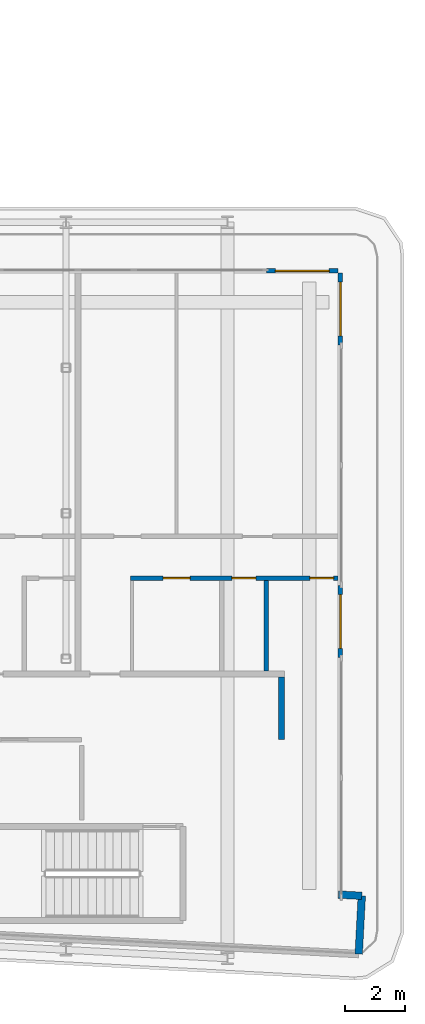
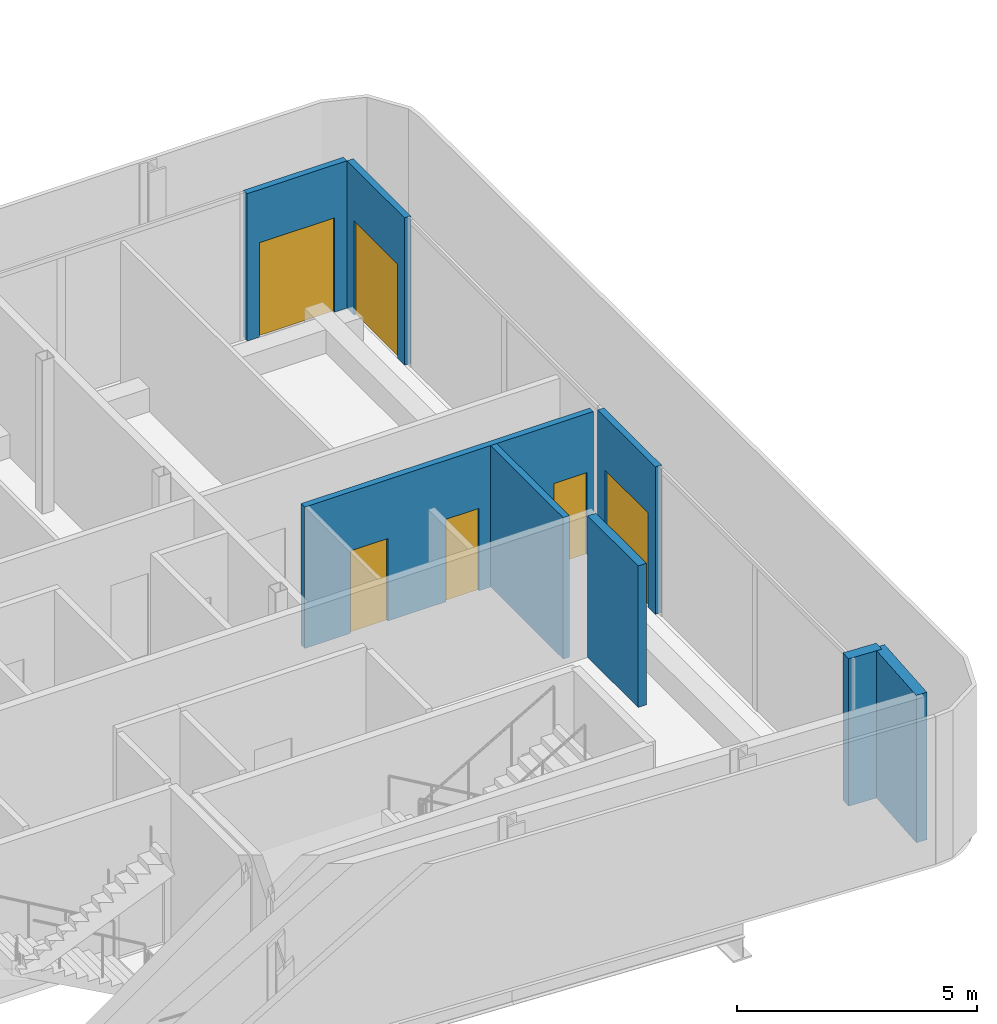
# One storey, part 20 of 29: 8 walls, 6 doors, 6 openings.
"""IFC4 building model written with IfcOpenShell, lengths in metres."""

from ifc_helpers import new_model, si_unit, direction, frame, frame_2d, origin, place, context, subcontext, project, spatial, rectangle, extrude, source, transform, mapped, material, layer, layer_set, type_object, element, fill, save


model = new_model("IFC4")

# Units and contexts
model_context = context("Model", 3, precision=1e-05, world=origin(), true_north=direction((0.0, 1.0)))
body_context = subcontext(model_context, "Body", "Model", "MODEL_VIEW")
ifc_project = project(units=[si_unit("LENGTHUNIT", "METRE"), si_unit("AREAUNIT", "SQUARE_METRE"), si_unit("VOLUMEUNIT", "CUBIC_METRE"), si_unit("PLANEANGLEUNIT", "RADIAN"), si_unit("MASSUNIT", "GRAM", prefix="KILO")], contexts=[model_context])

# Site, building, storey
site_placement = place(None, origin())
site = spatial("IfcSite", under=ifc_project, at=site_placement, CompositionType="ELEMENT")
building_placement = place(site_placement, origin())
building = spatial("IfcBuilding", under=site, at=building_placement, Name="Kheshtan School and Residences Tower", CompositionType="ELEMENT")
storey_placement = place(building_placement, frame((0.0, 0.0, 168.199951171875)))
storey = spatial("IfcBuildingStorey", under=building, at=storey_placement, Name="L39", CompositionType="ELEMENT", Elevation=168.199951171875)

# Walls
ifc_material_1 = material(Name="Gypsum board on steel studs with fire boards", Category="steel")
ifc_layer_1 = layer(ifc_material_1, 0.199951171875)
ifc_layer_set_1 = layer_set([ifc_layer_1], Name="Corridor wall 200")
wall_type_1 = type_object("IfcWallType", Name="Corridor wall 200", PredefinedType="PARTITIONING", material=ifc_layer_set_1)
wall_1_placement = place(storey_placement, frame((92.60009765625, 28.300048828125, 0.0), z_axis=(0.0, 0.0, 1.0), x_axis=(0.0, 1.0, 0.0)))
element("IfcWall", 1, at=wall_1_placement, inside=storey, type_object=wall_type_1, Name="Partition L39-073", PredefinedType="PARTITIONING", context=body_context, shape_type="SweptSolid", body=[
    extrude(rectangle(XDim=2.099853515625, YDim=0.199951171875, at=frame_2d((1.0498046875, 0.0))), origin(), (0.0, 0.0, 1.0), 3.60009765625),
])
ifc_material_2 = material(Name="Concrete C40/50 with ceramic cladding and mineral wool insulation", Category="concrete")
ifc_layer_2 = layer(ifc_material_2, 0.25)
ifc_layer_set_2 = layer_set([ifc_layer_2], Name="External wall 250 ceramic clad")
wall_type_2 = type_object("IfcWallType", Name="External wall 250 ceramic clad", PredefinedType="SOLIDWALL", material=ifc_layer_set_2)
wall_2_placement = place(storey_placement, frame((94.507080078125, 23.123046875, 0.0), z_axis=(0.0, 0.0, 1.0), x_axis=(0.998561284263, -0.053622398031, 0.0)))
element("IfcWall", 2, at=wall_2_placement, inside=storey, type_object=wall_type_2, Name="External wall L39 14", PredefinedType="SOLIDWALL", context=body_context, shape_type="SweptSolid", body=[
    extrude(rectangle(XDim=0.783203125, YDim=0.25, at=frame_2d((0.3916015625, 0.0))), origin(), (0.0, 0.0, 1.0), 3.75),
])
wall_3_placement = place(storey_placement, frame((95.2890625, 23.0810546875, 0.0), z_axis=(0.0, 0.0, 1.0), x_axis=(-0.052841433274, -0.998602915542, 0.0)))
element("IfcWall", 3, at=wall_3_placement, inside=storey, type_object=wall_type_2, Name="External wall L39 15", PredefinedType="SOLIDWALL", context=body_context, shape_type="SweptSolid", body=[
    extrude(rectangle(XDim=1.94970703125, YDim=0.25, at=frame_2d((0.974853515625, 0.0))), origin(), (0.0, 0.0, 1.0), 3.75),
])

# Wall, opening, door
ifc_material_3 = material(Name="Aluminium frame wall with insulated infill", Category="aluminium")
ifc_layer_3 = layer(ifc_material_3, 0.14990234375)
ifc_layer_set_3 = layer_set([ifc_layer_3], Name="Glazing frame wall 150")
wall_type_3 = type_object("IfcWallType", Name="Glazing frame wall 150", PredefinedType="SOLIDWALL", material=ifc_layer_set_3)
wall_4_placement = place(storey_placement, frame((92.10009765625, 43.97509765625, 0.0), z_axis=(0.0, 0.0, 1.0), x_axis=(1.0, 0.0, 0.0)))
wall_4 = element("IfcWall", 4, at=wall_4_placement, inside=storey, type_object=wall_type_3, Name="Balcony door wall L39 12.4", PredefinedType="SOLIDWALL", context=body_context, shape_type="SweptSolid", body=[
    extrude(rectangle(XDim=2.39990234375, YDim=0.14990234375, at=frame_2d((1.199951171875, 0.0))), origin(), (0.0, 0.0, 1.0), 3.75),
])
opening_1_placement = place(wall_4_placement, frame((0.300048828125, 0.0, 0.0)))
opening_1 = element("IfcOpeningElement", 5, at=opening_1_placement, cuts=wall_4, Name="Opening BD", PredefinedType="OPENING", context=body_context, shape_type="SweptSolid", body=[
    extrude(rectangle(XDim=1.800048828125, YDim=2.39990234375, at=frame_2d((0.89990234375, 1.199951171875))), frame((0.0, 0.0849609375, 0.0), z_axis=(0.0, -1.0, 0.0), x_axis=(1.0, 0.0, 0.0)), (0.0, 0.0, 1.0), 0.169921875),
])
ifc_material_4 = material(Name="Clear low-e glass in thermally broken aluminium frame", Category="aluminium")
door_type_1 = type_object("IfcDoorType", Name="Balcony sliding door", OperationType="SLIDING_TO_LEFT", PredefinedType="DOOR", material=ifc_material_4)
shared_shape_1 = source(origin(), body_context, "Body", "SweptSolid", [
    extrude(rectangle(XDim=1.800048828125, YDim=2.39990234375, at=frame_2d((0.89990234375, 1.199951171875))), frame((0.0, 0.02490234375, 0.0), z_axis=(0.0, -1.0, 0.0), x_axis=(1.0, 0.0, 0.0)), (0.0, 0.0, 1.0), 0.050048828125),
])
door_1_placement = place(opening_1_placement, origin())
door_1 = element("IfcDoor", 6, at=door_1_placement, inside=storey, type_object=door_type_1, Name="Balcony door L39 12.4", OperationType="SLIDING_TO_LEFT", OverallHeight=2.39990234375, OverallWidth=1.800048828125, PredefinedType="DOOR", context=body_context, shape_type="MappedRepresentation", body=[
    mapped(shared_shape_1, transform((0.0, 0.0, 0.0), x_axis=(1.0, 0.0, 0.0), y_axis=(0.0, 1.0, 0.0), z_axis=(0.0, 0.0, 1.0), scale=1.0)),
])
fill(opening_1, door_1)

wall_5_placement = place(storey_placement, frame((94.574951171875, 43.89990234375, 0.0), z_axis=(0.0, 0.0, 1.0), x_axis=(0.0, -1.0, 0.0)))
wall_5 = element("IfcWall", 7, at=wall_5_placement, inside=storey, type_object=wall_type_3, Name="Balcony door wall L39 13.1", PredefinedType="SOLIDWALL", context=body_context, shape_type="SweptSolid", body=[
    extrude(rectangle(XDim=2.39990234375, YDim=0.14990234375, at=frame_2d((1.199951171875, 0.0))), origin(), (0.0, 0.0, 1.0), 3.75),
])
opening_2_placement = place(wall_5_placement, frame((0.300048828125, 0.0, 0.0)))
opening_2 = element("IfcOpeningElement", 8, at=opening_2_placement, cuts=wall_5, Name="Opening BD", PredefinedType="OPENING", context=body_context, shape_type="SweptSolid", body=[
    extrude(rectangle(XDim=1.800048828125, YDim=2.39990234375, at=frame_2d((0.89990234375, 1.199951171875))), frame((0.0, 0.0849609375, 0.0), z_axis=(0.0, -1.0, 0.0), x_axis=(1.0, 0.0, 0.0)), (0.0, 0.0, 1.0), 0.169921875),
])
door_2_placement = place(opening_2_placement, origin())
door_2 = element("IfcDoor", 9, at=door_2_placement, inside=storey, type_object=door_type_1, Name="Balcony door L39 13.1", OperationType="SLIDING_TO_LEFT", OverallHeight=2.39990234375, OverallWidth=1.800048828125, PredefinedType="DOOR", context=body_context, shape_type="MappedRepresentation", body=[
    mapped(shared_shape_1, transform((0.0, 0.0, 0.0), x_axis=(1.0, 0.0, 0.0), y_axis=(0.0, 1.0, 0.0), z_axis=(0.0, 0.0, 1.0), scale=1.0)),
])
fill(opening_2, door_2)

wall_6_placement = place(storey_placement, frame((94.574951171875, 33.448974609375, 0.0), z_axis=(0.0, 0.0, 1.0), x_axis=(0.0, -1.0, 0.0)))
wall_6 = element("IfcWall", 10, at=wall_6_placement, inside=storey, type_object=wall_type_3, Name="Balcony door wall L39 13.2", PredefinedType="SOLIDWALL", context=body_context, shape_type="SweptSolid", body=[
    extrude(rectangle(XDim=2.39990234375, YDim=0.14990234375, at=frame_2d((1.199951171875, 0.0))), origin(), (0.0, 0.0, 1.0), 3.75),
])
opening_3_placement = place(wall_6_placement, frame((0.300048828125, 0.0, 0.0)))
opening_3 = element("IfcOpeningElement", 11, at=opening_3_placement, cuts=wall_6, Name="Opening BD", PredefinedType="OPENING", context=body_context, shape_type="SweptSolid", body=[
    extrude(rectangle(XDim=1.800048828125, YDim=2.39990234375, at=frame_2d((0.89990234375, 1.199951171875))), frame((0.0, 0.0849609375, 0.0), z_axis=(0.0, -1.0, 0.0), x_axis=(1.0, 0.0, 0.0)), (0.0, 0.0, 1.0), 0.169921875),
])
door_3_placement = place(opening_3_placement, origin())
door_3 = element("IfcDoor", 12, at=door_3_placement, inside=storey, type_object=door_type_1, Name="Balcony door L39 13.2", OperationType="SLIDING_TO_LEFT", OverallHeight=2.39990234375, OverallWidth=1.800048828125, PredefinedType="DOOR", context=body_context, shape_type="MappedRepresentation", body=[
    mapped(shared_shape_1, transform((0.0, 0.0, 0.0), x_axis=(1.0, 0.0, 0.0), y_axis=(0.0, 1.0, 0.0), z_axis=(0.0, 0.0, 1.0), scale=1.0)),
])
fill(opening_3, door_3)

# Wall, openings, doors
ifc_material_5 = material(Name="Moisture-resistant gypsum board on steel studs", Category="steel")
ifc_layer_4 = layer(ifc_material_5, 0.14990234375)
ifc_layer_set_4 = layer_set([ifc_layer_4], Name="Wet-room partition 150")
wall_type_4 = type_object("IfcWallType", Name="Wet-room partition 150", PredefinedType="PARTITIONING", material=ifc_layer_set_4)
wall_7_placement = place(storey_placement, frame((87.550048828125, 33.699951171875, 0.0), z_axis=(0.0, 0.0, 1.0), x_axis=(1.0, 0.0, 0.0)))
wall_7 = element("IfcWall", 13, at=wall_7_placement, inside=storey, type_object=wall_type_4, Name="Partition L39-068", PredefinedType="PARTITIONING", context=body_context, shape_type="SweptSolid", body=[
    extrude(rectangle(XDim=6.949951171875, YDim=0.14990234375, at=frame_2d((3.47509765625, 0.0))), origin(), (0.0, 0.0, 1.0), 3.60009765625),
])
opening_4_placement = place(wall_7_placement, frame((6.0, 0.0, 0.0)))
opening_4 = element("IfcOpeningElement", 14, at=opening_4_placement, cuts=wall_7, Name="Opening D39-024", PredefinedType="OPENING", context=body_context, shape_type="SweptSolid", body=[
    extrude(rectangle(XDim=0.800048828125, YDim=2.10009765625, at=frame_2d((0.39990234375, 1.050048828125))), frame((0.0, 0.0849609375, 0.0), z_axis=(0.0, -1.0, 0.0), x_axis=(1.0, 0.0, 0.0)), (0.0, 0.0, 1.0), 0.169921875),
])
opening_5_placement = place(wall_7_placement, frame((1.10009765625, 0.0, 0.0)))
opening_5 = element("IfcOpeningElement", 15, at=opening_5_placement, cuts=wall_7, Name="Opening D39-027", PredefinedType="OPENING", context=body_context, shape_type="SweptSolid", body=[
    extrude(rectangle(XDim=0.89990234375, YDim=2.10009765625, at=frame_2d((0.449951171875, 1.050048828125))), frame((0.0, 0.0849609375, 0.0), z_axis=(0.0, -1.0, 0.0), x_axis=(1.0, 0.0, 0.0)), (0.0, 0.0, 1.0), 0.169921875),
])
opening_6_placement = place(wall_7_placement, frame((3.39990234375, 0.0, 0.0)))
opening_6 = element("IfcOpeningElement", 16, at=opening_6_placement, cuts=wall_7, Name="Opening D39-029", PredefinedType="OPENING", context=body_context, shape_type="SweptSolid", body=[
    extrude(rectangle(XDim=0.800048828125, YDim=2.10009765625, at=frame_2d((0.39990234375, 1.050048828125))), frame((0.0, 0.0849609375, 0.0), z_axis=(0.0, -1.0, 0.0), x_axis=(1.0, 0.0, 0.0)), (0.0, 0.0, 1.0), 0.169921875),
])
ifc_material_6 = material(Name="Veneered timber door leaf", Category="wood")
door_type_2 = type_object("IfcDoorType", Name="Door 800 x 2100", OperationType="SINGLE_SWING_LEFT", PredefinedType="DOOR", material=ifc_material_6)
shared_shape_2 = source(origin(), body_context, "Body", "SweptSolid", [
    extrude(rectangle(XDim=0.800048828125, YDim=2.10009765625, at=frame_2d((0.39990234375, 1.050048828125))), frame((0.0, 0.02490234375, 0.0), z_axis=(0.0, -1.0, 0.0), x_axis=(1.0, 0.0, 0.0)), (0.0, 0.0, 1.0), 0.050048828125),
])
door_4_placement = place(opening_4_placement, origin())
door_4 = element("IfcDoor", 17, at=door_4_placement, inside=storey, type_object=door_type_2, Name="Door D39-024", OperationType="SINGLE_SWING_RIGHT", OverallHeight=2.10009765625, OverallWidth=0.800048828125, PredefinedType="DOOR", context=body_context, shape_type="MappedRepresentation", body=[
    mapped(shared_shape_2, transform((0.0, 0.0, 0.0), x_axis=(1.0, 0.0, 0.0), y_axis=(0.0, 1.0, 0.0), z_axis=(0.0, 0.0, 1.0), scale=1.0)),
])
fill(opening_4, door_4)
door_5_placement = place(opening_6_placement, origin())
door_5 = element("IfcDoor", 18, at=door_5_placement, inside=storey, type_object=door_type_2, Name="Door D39-029", OperationType="SINGLE_SWING_LEFT", OverallHeight=2.10009765625, OverallWidth=0.800048828125, PredefinedType="DOOR", context=body_context, shape_type="MappedRepresentation", body=[
    mapped(shared_shape_2, transform((0.0, 0.0, 0.0), x_axis=(1.0, 0.0, 0.0), y_axis=(0.0, 1.0, 0.0), z_axis=(0.0, 0.0, 1.0), scale=1.0)),
])
fill(opening_6, door_5)
door_type_3 = type_object("IfcDoorType", Name="Door 900 x 2100", OperationType="SINGLE_SWING_LEFT", PredefinedType="DOOR", material=ifc_material_6)
shared_shape_3 = source(origin(), body_context, "Body", "SweptSolid", [
    extrude(rectangle(XDim=0.89990234375, YDim=2.10009765625, at=frame_2d((0.449951171875, 1.050048828125))), frame((0.0, 0.02490234375, 0.0), z_axis=(0.0, -1.0, 0.0), x_axis=(1.0, 0.0, 0.0)), (0.0, 0.0, 1.0), 0.050048828125),
])
door_6_placement = place(opening_5_placement, origin())
door_6 = element("IfcDoor", 19, at=door_6_placement, inside=storey, type_object=door_type_3, Name="Door D39-027", OperationType="SINGLE_SWING_RIGHT", OverallHeight=2.10009765625, OverallWidth=0.89990234375, PredefinedType="DOOR", context=body_context, shape_type="MappedRepresentation", body=[
    mapped(shared_shape_3, transform((0.0, 0.0, 0.0), x_axis=(1.0, 0.0, 0.0), y_axis=(0.0, 1.0, 0.0), z_axis=(0.0, 0.0, 1.0), scale=1.0)),
])
fill(opening_5, door_6)

# Wall
wall_8_placement = place(storey_placement, frame((92.10009765625, 30.60009765625, 0.0), z_axis=(0.0, 0.0, 1.0), x_axis=(0.0, 1.0, 0.0)))
element("IfcWall", 20, at=wall_8_placement, inside=storey, type_object=wall_type_4, Name="Partition L39-072", PredefinedType="PARTITIONING", context=body_context, shape_type="SweptSolid", body=[
    extrude(rectangle(XDim=3.02490234375, YDim=0.14990234375, at=frame_2d((1.512451171875, 0.0))), origin(), (0.0, 0.0, 1.0), 3.60009765625),
])

save(model, "model.ifc")
